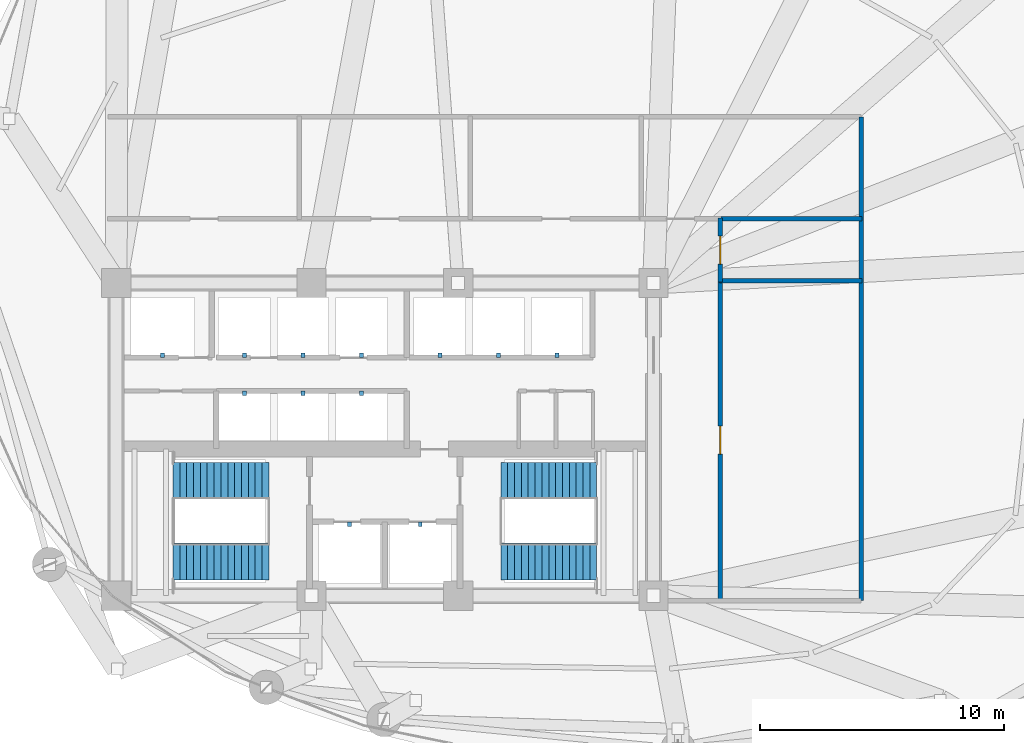
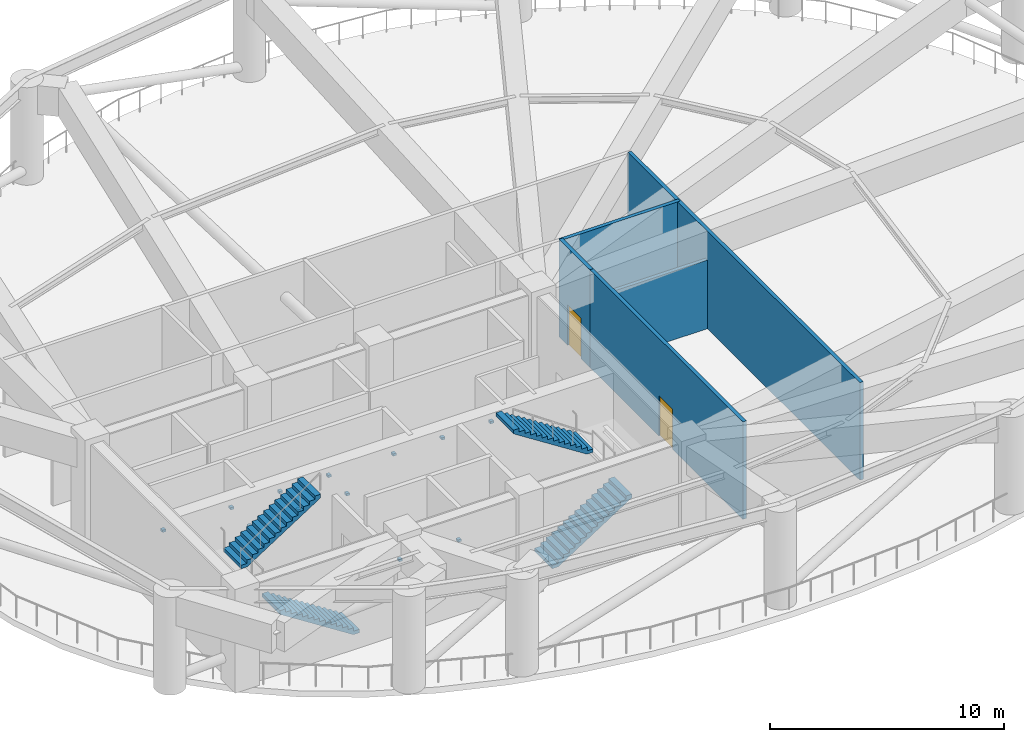
# One storey, part 7 of 9: 12 discrete accessories, 5 walls, 4 stair flights, 2 doors, 2 openings, 2 elements without a shape of their own.
"""IFC4 building model written with IfcOpenShell, lengths in metres."""

import ifcopenshell
import ifcopenshell.guid

model = None  # the IFC model being written
_history = None  # IfcOwnerHistory: only IFC2X3 demands one
_inside = {}  # id of a spatial element -> (the spatial element, [elements in it])
_under = {}  # id of a project, library or spatial element -> (it, [spatial elements below it])
_declared = {}  # id of a project -> (the project, [libraries it declares])
_typed = {}  # id of a type object -> (the type object, [elements of that type])
_made_of = {}  # id of a material, layer set ... -> (it, [elements and type objects made of it])


def new_model(schema):
    """Start an empty IFC model of exactly this schema.

    Asked for "IFC4X3", IfcOpenShell would pick the latest addendum, in which some entities
    have other attributes; the version numbers below select the first issue.
    IFC2X3 requires an IfcOwnerHistory on every rooted entity: one is made here for all.
    """
    global model, _history
    if schema == "IFC4X3":
        model = ifcopenshell.file(schema_version=(4, 3, 0, 0))
    else:
        model = ifcopenshell.file(schema=schema)
    _inside.clear()
    _under.clear()
    _declared.clear()
    _typed.clear()
    _made_of.clear()
    _history = None
    if model.schema == "IFC2X3":
        org = make("IfcOrganization", Name="unknown")
        user = make(
            "IfcPersonAndOrganization",
            ThePerson=make("IfcPerson", FamilyName="unknown"),
            TheOrganization=org,
        )
        app = make(
            "IfcApplication",
            ApplicationDeveloper=org,
            Version="unknown",
            ApplicationFullName="unknown",
            ApplicationIdentifier="unknown",
        )
        _history = make(
            "IfcOwnerHistory",
            OwningUser=user,
            OwningApplication=app,
            ChangeAction="ADDED",
            CreationDate=0,
        )
    return model


def make(cls, **values):
    """One entity of the class cls with the attributes given. An attribute that is None is left unset."""
    return model.create_entity(
        cls, **{name: value for name, value in values.items() if value is not None}
    )


def rooted(cls, **values):
    """An entity with a GlobalId (a new one), such as an element, a storey or a relation."""
    return make(cls, GlobalId=ifcopenshell.guid.new(), OwnerHistory=_history, **values)


def si_unit(unit_type, name, prefix=None):
    """IfcSIUnit, for example si_unit("LENGTHUNIT", "METRE", prefix="MILLI")."""
    return make("IfcSIUnit", UnitType=unit_type, Prefix=prefix, Name=name)


def assignment(units):
    """IfcUnitAssignment: the units of a project."""
    return None if units is None else make("IfcUnitAssignment", Units=units)


def point(xyz):
    """IfcCartesianPoint."""
    return None if xyz is None else make("IfcCartesianPoint", Coordinates=xyz)


def direction(xyz):
    """IfcDirection."""
    return None if xyz is None else make("IfcDirection", DirectionRatios=xyz)


def frame(location, z_axis=None, x_axis=None):
    """IfcAxis2Placement3D, a coordinate frame: its origin and axes. An axis left out is left unset."""
    return make(
        "IfcAxis2Placement3D",
        Location=point(location),
        Axis=direction(z_axis),
        RefDirection=direction(x_axis),
    )


def frame_2d(location, x_axis=None):
    """IfcAxis2Placement2D, a coordinate frame in the plane: its origin and x axis."""
    return make(
        "IfcAxis2Placement2D", Location=point(location), RefDirection=direction(x_axis)
    )


def origin():
    """The frame at (0, 0, 0) with its axes left unset."""
    return frame((0.0, 0.0, 0.0))


def origin_2d():
    """The frame at (0, 0) in the plane with its x axis left unset."""
    return frame_2d((0.0, 0.0))


def place(relative_to, where):
    """IfcLocalPlacement: puts the frame where relative to a parent placement (None: the world)."""
    return make(
        "IfcLocalPlacement", PlacementRelTo=relative_to, RelativePlacement=where
    )


def context(
    kind, dimensions, precision=None, world=None, true_north=None, identifier=None
):
    """IfcGeometricRepresentationContext, for example the 3D "Model" context."""
    return make(
        "IfcGeometricRepresentationContext",
        ContextIdentifier=identifier,
        ContextType=kind,
        CoordinateSpaceDimension=dimensions,
        Precision=precision,
        WorldCoordinateSystem=world,
        TrueNorth=true_north,
    )


def subcontext(parent, identifier, kind, view, scale=None):
    """IfcGeometricRepresentationSubContext, for example "Body" below "Model"."""
    return make(
        "IfcGeometricRepresentationSubContext",
        ContextIdentifier=identifier,
        ContextType=kind,
        ParentContext=parent,
        TargetScale=scale,
        TargetView=view,
    )


def project(units=None, contexts=None):
    """IfcProject with its units and contexts."""
    return rooted(
        "IfcProject",
        Name="project",
        RepresentationContexts=contexts,
        UnitsInContext=assignment(units),
    )


def spatial(cls, under=None, at=None, **own):
    """A site, building, storey or space (cls), placed at a placement, below another one or the project."""
    s = rooted(cls, ObjectPlacement=at, **own)
    if under is not None:
        _under.setdefault(under.id(), (under, []))[1].append(s)
    return s


def polyline(points):
    """IfcPolyline through the points."""
    return make("IfcPolyline", Points=[point(p) for p in points])


def profile(cls, at=None, kind="AREA", **sizes):
    """A parametric profile (cls). Its sizes go by their IFC names, for example OverallWidth=200.0."""
    return make(cls, ProfileType=kind, Position=at, **sizes)


def rectangle(**sizes):
    """IfcRectangleProfileDef."""
    return profile("IfcRectangleProfileDef", **sizes)


def outline(outer, holes=None, kind="AREA"):
    """IfcArbitraryClosedProfileDef: a profile drawn as a closed curve; with holes, ...WithVoids."""
    if holes is None:
        return make("IfcArbitraryClosedProfileDef", ProfileType=kind, OuterCurve=outer)
    return make(
        "IfcArbitraryProfileDefWithVoids",
        ProfileType=kind,
        OuterCurve=outer,
        InnerCurves=holes,
    )


def extrude(swept, where, along, depth):
    """IfcExtrudedAreaSolid: the profile swept, set in the frame where, extruded along a direction by depth."""
    return make(
        "IfcExtrudedAreaSolid",
        SweptArea=swept,
        Position=where,
        ExtrudedDirection=direction(along),
        Depth=depth,
    )


def shape(context_of_items, identifier, shape_type, items):
    """IfcShapeRepresentation: the items that make up one representation, for example the "Body"."""
    return make(
        "IfcShapeRepresentation",
        ContextOfItems=context_of_items,
        RepresentationIdentifier=identifier,
        RepresentationType=shape_type,
        Items=items,
    )


def material(Name=None, Category=None):
    """IfcMaterial."""
    return make("IfcMaterial", Name=Name, Category=Category)


def layer(
    of_material, thickness, ventilated=None, Name=None, Category=None, Priority=None
):
    """IfcMaterialLayer: one layer of a wall or slab, of a material (None: an air gap)."""
    return make(
        "IfcMaterialLayer",
        Material=of_material,
        LayerThickness=thickness,
        IsVentilated=ventilated,
        Name=Name,
        Category=Category,
        Priority=Priority,
    )


def layer_set(layers, Name=None):
    """IfcMaterialLayerSet."""
    return make("IfcMaterialLayerSet", MaterialLayers=layers, LayerSetName=Name)


def made_of(thing, what):
    """Note that an element or type object is made of a material, layer set ...; save() writes the relation."""
    if what is not None:
        _made_of.setdefault(what.id(), (what, []))[1].append(thing)
    return thing


def type_object(cls, material=None, **own):
    """A type object (cls), such as IfcWallType, which elements share."""
    return made_of(rooted(cls, **own), material)


def element(
    cls,
    number,
    at=None,
    inside=None,
    cuts=None,
    type_object=None,
    material=None,
    context=None,
    identifier="Body",
    shape_type=None,
    held_by="IfcProductDefinitionShape",
    body=None,
    shapes=None,
    **own,
):
    """One element of the class cls, such as IfcWall. Its Tag is "e" and its number.

    at: its placement. inside: the storey or other place that contains it. cuts: it is an
    opening in that element (IfcRelVoidsElement). A single representation is given by context,
    identifier, shape_type and body (its items); several are given by shapes. held_by: the class
    of the entity that holds the representations. save() writes the other relations.
    """
    e = rooted(cls, Tag="e%d" % number, ObjectPlacement=at, **own)
    if body is not None:
        shapes = [shape(context, identifier, shape_type, body)]
    if shapes is not None:
        e.Representation = make(held_by, Representations=shapes)
    if inside is not None:
        _inside.setdefault(inside.id(), (inside, []))[1].append(e)
    if cuts is not None:
        rooted(
            "IfcRelVoidsElement", RelatingBuildingElement=cuts, RelatedOpeningElement=e
        )
    if type_object is not None:
        _typed.setdefault(type_object.id(), (type_object, []))[1].append(e)
    return made_of(e, material)


def fill(opening, filler):
    """IfcRelFillsElement: the door or window that sits in an opening."""
    return rooted(
        "IfcRelFillsElement",
        RelatingOpeningElement=opening,
        RelatedBuildingElement=filler,
    )


def aggregate(whole, parts):
    """IfcRelAggregates: a whole, such as a stair, and the parts it consists of."""
    return rooted("IfcRelAggregates", RelatingObject=whole, RelatedObjects=parts)


def save(model, path):
    """Write the relations noted so far, then the file.

    IfcRelAggregates (storeys below a building ...), IfcRelContainedInSpatialStructure (elements
    in a storey), IfcRelDefinesByType, IfcRelAssociatesMaterial and IfcRelDeclares: one each for
    every whole, place, type object, material and project.
    """
    for whole, parts in _under.values():
        aggregate(whole, parts)
    for where, things in _inside.values():
        rooted(
            "IfcRelContainedInSpatialStructure",
            RelatedElements=things,
            RelatingStructure=where,
        )
    for kind, things in _typed.values():
        rooted("IfcRelDefinesByType", RelatedObjects=things, RelatingType=kind)
    for what, things in _made_of.values():
        rooted("IfcRelAssociatesMaterial", RelatedObjects=things, RelatingMaterial=what)
    for by, libraries in _declared.values():
        rooted("IfcRelDeclares", RelatingContext=by, RelatedDefinitions=libraries)
    model.write(path)


model = new_model("IFC4")

# Units and contexts
model_context = context("Model", 3, precision=1e-05, world=origin(), true_north=direction((0.0, 1.0)))
body_context = subcontext(model_context, "Body", "Model", "MODEL_VIEW")
ifc_project = project(units=[si_unit("LENGTHUNIT", "METRE"), si_unit("AREAUNIT", "SQUARE_METRE"), si_unit("VOLUMEUNIT", "CUBIC_METRE"), si_unit("PLANEANGLEUNIT", "RADIAN"), si_unit("MASSUNIT", "GRAM", prefix="KILO")], contexts=[model_context])

# Site, building, storey
site_placement = place(None, origin())
site = spatial("IfcSite", under=ifc_project, at=site_placement, CompositionType="ELEMENT")
building_placement = place(site_placement, origin())
building = spatial("IfcBuilding", under=site, at=building_placement, Name="Kazevale Care Tower and Concert Hall", CompositionType="ELEMENT")
storey_placement = place(building_placement, frame((0.0, 0.0, 92.39990234375)))
storey = spatial("IfcBuildingStorey", under=building, at=storey_placement, Name="L24", CompositionType="ELEMENT", Elevation=92.39990234375)

# Wall
ifc_material_1 = material(Name="Concrete C40 and Acoustic Gypsum", Category="concrete")
ifc_layer_1 = layer(ifc_material_1, 0.179931640625)
ifc_layer_set_1 = layer_set([ifc_layer_1], Name="Concrete C40 and Acoustic Gypsum")
wall_type = type_object("IfcWallType", Name="Fire-Rated Corridor & Party Wall 180", PredefinedType="PARTITIONING", material=ifc_layer_set_1)
wall_1_placement = place(storey_placement, frame((52.5, 23.39990234375, 0.0), z_axis=(0.0, 0.0, 1.0), x_axis=(0.0, 1.0, 0.0)))
element("IfcWall", 1, at=wall_1_placement, inside=storey, type_object=wall_type, Name="wall:L24:wf_enc_e", PredefinedType="PARTITIONING", context=body_context, shape_type="SweptSolid", body=[
    extrude(rectangle(XDim=19.800048828125, YDim=0.179931640625, at=frame_2d((9.89990234375, 0.0))), origin(), (0.0, 0.0, 1.0), 5.080078125),
])

# Wall, opening, door
wall_2_placement = place(storey_placement, frame((46.72509765625, 36.56494140625, 0.0), z_axis=(0.0, 0.0, 1.0), x_axis=(0.0, -1.0, 0.0)))
wall_2 = element("IfcWall", 2, at=wall_2_placement, inside=storey, type_object=wall_type, Name="wall:L24:auto_002", PredefinedType="PARTITIONING", context=body_context, shape_type="SweptSolid", body=[
    extrude(rectangle(XDim=13.19482421875, YDim=0.179931640625, at=frame_2d((6.597412109375, 0.0))), origin(), (0.0, 0.0, 1.0), 5.080078125),
])
opening_1_placement = place(wall_2_placement, frame((6.02197265625, 0.0, 0.0)))
opening_1 = element("IfcOpeningElement", 3, at=opening_1_placement, cuts=wall_2, Name="Opening FD-90", PredefinedType="OPENING", context=body_context, shape_type="SweptSolid", body=[
    extrude(rectangle(XDim=1.14990234375, YDim=2.10009765625, at=frame_2d((0.574951171875, 1.050048828125))), frame((0.0, 0.099853515625, 0.0), z_axis=(0.0, -1.0, 0.0), x_axis=(1.0, 0.0, 0.0)), (0.0, 0.0, 1.0), 0.199951171875),
])
ifc_material_2 = material(Name="Steel ASTM A572 Gr 50", Category="steel")
door_type = type_object("IfcDoorType", Name="Pressurized Stair & Lobby Fire Door 1150x2100", OperationType="NOTDEFINED", PredefinedType="DOOR", material=ifc_material_2)
door_1_placement = place(opening_1_placement, origin())
door_1 = element("IfcDoor", 4, at=door_1_placement, inside=storey, type_object=door_type, Name="door:L24:ad_002", OperationType="SINGLE_SWING_LEFT", OverallHeight=2.10009765625, OverallWidth=1.14990234375, PredefinedType="DOOR", context=body_context, shape_type="SweptSolid", body=[
    extrude(rectangle(XDim=1.14990234375, YDim=2.10009765625, at=frame_2d((0.574951171875, 1.050048828125))), frame((0.0, 0.02490234375, 0.0), z_axis=(0.0, -1.0, 0.0), x_axis=(1.0, 0.0, 0.0)), (0.0, 0.0, 1.0), 0.050048828125),
])
fill(opening_1, door_1)

wall_3_placement = place(storey_placement, frame((46.72509765625, 39.054931640625, 0.0), z_axis=(0.0, 0.0, 1.0), x_axis=(0.0, -1.0, 0.0)))
wall_3 = element("IfcWall", 5, at=wall_3_placement, inside=storey, type_object=wall_type, Name="wall:L24:auto_006", PredefinedType="PARTITIONING", context=body_context, shape_type="SweptSolid", body=[
    extrude(rectangle(XDim=2.619873046875, YDim=0.179931640625, at=frame_2d((1.31005859375, 0.0))), origin(), (0.0, 0.0, 1.0), 5.080078125),
])
opening_2_placement = place(wall_3_placement, frame((0.735107421875, 0.0, 0.0)))
opening_2 = element("IfcOpeningElement", 6, at=opening_2_placement, cuts=wall_3, Name="Opening FD-90", PredefinedType="OPENING", context=body_context, shape_type="SweptSolid", body=[
    extrude(rectangle(XDim=1.14990234375, YDim=2.10009765625, at=frame_2d((0.574951171875, 1.050048828125))), frame((0.0, 0.099853515625, 0.0), z_axis=(0.0, -1.0, 0.0), x_axis=(1.0, 0.0, 0.0)), (0.0, 0.0, 1.0), 0.199951171875),
])
door_2_placement = place(opening_2_placement, origin())
door_2 = element("IfcDoor", 7, at=door_2_placement, inside=storey, type_object=door_type, Name="door:L24:ad_006", OperationType="SINGLE_SWING_LEFT", OverallHeight=2.10009765625, OverallWidth=1.14990234375, PredefinedType="DOOR", context=body_context, shape_type="SweptSolid", body=[
    extrude(rectangle(XDim=1.14990234375, YDim=2.10009765625, at=frame_2d((0.574951171875, 1.050048828125))), frame((0.0, 0.02490234375, 0.0), z_axis=(0.0, -1.0, 0.0), x_axis=(1.0, 0.0, 0.0)), (0.0, 0.0, 1.0), 0.050048828125),
])
fill(opening_2, door_2)

# Walls
wall_4_placement = place(storey_placement, frame((46.695068359375, 36.5, 0.0), z_axis=(0.0, 0.0, 1.0), x_axis=(1.0, 0.0, 0.0)))
element("IfcWall", 8, at=wall_4_placement, inside=storey, type_object=wall_type, Name="wall:L24:auto_008", PredefinedType="PARTITIONING", context=body_context, shape_type="SweptSolid", body=[
    extrude(rectangle(XDim=5.8349609375, YDim=0.179931640625, at=frame_2d((2.91748046875, 0.0))), origin(), (0.0, 0.0, 1.0), 3.570068359375),
])
wall_5_placement = place(storey_placement, frame((52.530029296875, 39.02490234375, 0.0), z_axis=(0.0, 0.0, 1.0), x_axis=(-1.0, 0.0, 0.0)))
element("IfcWall", 9, at=wall_5_placement, inside=storey, type_object=wall_type, Name="wall:L24:auto_011", PredefinedType="PARTITIONING", context=body_context, shape_type="SweptSolid", body=[
    extrude(rectangle(XDim=5.8701171875, YDim=0.179931640625, at=frame_2d((2.93505859375, 0.0))), origin(), (0.0, 0.0, 1.0), 5.080078125),
])

# Stair, stair flights
ifc_material_3 = material(Name="Concrete C40", Category="concrete")
stair_type = type_object("IfcStairType", Name="Exit Stair Assembly ST1-W", PredefinedType="HALF_TURN_STAIR", material=ifc_material_3)
stair_1_placement = place(storey_placement, origin())
stair_1 = element("IfcStair", 10, at=stair_1_placement, inside=storey, type_object=stair_type, Name="stair:L24:ST1", PredefinedType="HALF_TURN_STAIR")
ifc_layer_2 = layer(ifc_material_3, 0.159912109375)
ifc_layer_set_2 = layer_set([ifc_layer_2], Name="Concrete C40")
stair_flight_type = type_object("IfcStairFlightType", Name="Exit Stair Flight ST1-W", PredefinedType="STRAIGHT", material=ifc_layer_set_2)
stair_flight_1_placement = place(storey_placement, frame((28.25, 25.0, 0.0), z_axis=(0.0, 0.0, 1.0), x_axis=(-1.0, 0.0, 0.0)))
stair_flight_1 = element("IfcStairFlight", 11, at=stair_flight_1_placement, type_object=stair_flight_type, Name="ST1-W flight 1", NumberOfRisers=15, NumberOfTreads=14, PredefinedType="STRAIGHT", RiserHeight=0.18, TreadLength=0.28, context=body_context, shape_type="SweptSolid", body=[
    extrude(outline(polyline([(0.0, 0.0), (0.0, 0.179931640625), (0.280029296875, 0.179931640625), (0.280029296875, 0.360107421875), (0.56005859375, 0.360107421875), (0.56005859375, 0.5400390625), (0.840087890625, 0.5400390625), (0.840087890625, 0.719970703125), (1.1201171875, 0.719970703125), (1.1201171875, 0.89990234375), (1.39990234375, 0.89990234375), (1.39990234375, 1.080078125), (1.679931640625, 1.080078125), (1.679931640625, 1.260009765625), (1.9599609375, 1.260009765625), (1.9599609375, 1.43994140625), (2.239990234375, 1.43994140625), (2.239990234375, 1.6201171875), (2.52001953125, 1.6201171875), (2.52001953125, 1.800048828125), (2.800048828125, 1.800048828125), (2.800048828125, 1.97998046875), (3.080078125, 1.97998046875), (3.080078125, 2.159912109375), (3.360107421875, 2.159912109375), (3.360107421875, 2.340087890625), (3.639892578125, 2.340087890625), (3.639892578125, 2.52001953125), (3.919921875, 2.52001953125), (3.919921875, 2.699951171875), (3.919921875, 2.329833984375), (0.295654296875, 0.0), (0.0, 0.0)])), frame((0.0, 0.75, 0.0), z_axis=(0.0, -1.0, 0.0), x_axis=(1.0, 0.0, 0.0)), (0.0, 0.0, 1.0), 1.5),
])
stair_flight_2_placement = place(storey_placement, frame((24.330078125, 28.300048828125, 2.7001953125), z_axis=(0.0, 0.0, 1.0), x_axis=(1.0, 0.0, 0.0)))
stair_flight_2 = element("IfcStairFlight", 12, at=stair_flight_2_placement, type_object=stair_flight_type, Name="ST1-W flight 2", NumberOfRisers=15, NumberOfTreads=14, PredefinedType="STRAIGHT", RiserHeight=0.18, TreadLength=0.28, context=body_context, shape_type="SweptSolid", body=[
    extrude(outline(polyline([(0.0, 0.0), (0.0, 0.179931640625), (0.280029296875, 0.179931640625), (0.280029296875, 0.360107421875), (0.56005859375, 0.360107421875), (0.56005859375, 0.5400390625), (0.840087890625, 0.5400390625), (0.840087890625, 0.719970703125), (1.1201171875, 0.719970703125), (1.1201171875, 0.89990234375), (1.39990234375, 0.89990234375), (1.39990234375, 1.080078125), (1.679931640625, 1.080078125), (1.679931640625, 1.260009765625), (1.9599609375, 1.260009765625), (1.9599609375, 1.43994140625), (2.239990234375, 1.43994140625), (2.239990234375, 1.6201171875), (2.52001953125, 1.6201171875), (2.52001953125, 1.800048828125), (2.800048828125, 1.800048828125), (2.800048828125, 1.97998046875), (3.080078125, 1.97998046875), (3.080078125, 2.159912109375), (3.360107421875, 2.159912109375), (3.360107421875, 2.340087890625), (3.639892578125, 2.340087890625), (3.639892578125, 2.52001953125), (3.919921875, 2.52001953125), (3.919921875, 2.699951171875), (3.919921875, 2.329833984375), (0.295654296875, 0.0), (0.0, 0.0)])), frame((0.0, 0.75, 0.0), z_axis=(0.0, -1.0, 0.0), x_axis=(1.0, 0.0, 0.0)), (0.0, 0.0, 1.0), 1.5),
])
aggregate(stair_1, [stair_flight_1, stair_flight_2])

stair_2_placement = place(storey_placement, origin())
stair_2 = element("IfcStair", 13, at=stair_2_placement, inside=storey, type_object=stair_type, Name="stair:L24:ST2", PredefinedType="HALF_TURN_STAIR")
stair_flight_3_placement = place(storey_placement, frame((37.75, 25.0, 0.0), z_axis=(0.0, 0.0, 1.0), x_axis=(1.0, 0.0, 0.0)))
stair_flight_3 = element("IfcStairFlight", 14, at=stair_flight_3_placement, type_object=stair_flight_type, Name="ST1-W flight 1", NumberOfRisers=15, NumberOfTreads=14, PredefinedType="STRAIGHT", RiserHeight=0.18, TreadLength=0.28, context=body_context, shape_type="SweptSolid", body=[
    extrude(outline(polyline([(0.0, 0.0), (0.0, 0.179931640625), (0.280029296875, 0.179931640625), (0.280029296875, 0.360107421875), (0.56005859375, 0.360107421875), (0.56005859375, 0.5400390625), (0.840087890625, 0.5400390625), (0.840087890625, 0.719970703125), (1.1201171875, 0.719970703125), (1.1201171875, 0.89990234375), (1.39990234375, 0.89990234375), (1.39990234375, 1.080078125), (1.679931640625, 1.080078125), (1.679931640625, 1.260009765625), (1.9599609375, 1.260009765625), (1.9599609375, 1.43994140625), (2.239990234375, 1.43994140625), (2.239990234375, 1.6201171875), (2.52001953125, 1.6201171875), (2.52001953125, 1.800048828125), (2.800048828125, 1.800048828125), (2.800048828125, 1.97998046875), (3.080078125, 1.97998046875), (3.080078125, 2.159912109375), (3.360107421875, 2.159912109375), (3.360107421875, 2.340087890625), (3.639892578125, 2.340087890625), (3.639892578125, 2.52001953125), (3.919921875, 2.52001953125), (3.919921875, 2.699951171875), (3.919921875, 2.329833984375), (0.295654296875, 0.0), (0.0, 0.0)])), frame((0.0, 0.75, 0.0), z_axis=(0.0, -1.0, 0.0), x_axis=(1.0, 0.0, 0.0)), (0.0, 0.0, 1.0), 1.5),
])
stair_flight_4_placement = place(storey_placement, frame((41.669921875, 28.300048828125, 2.7001953125), z_axis=(0.0, 0.0, 1.0), x_axis=(-1.0, 0.0, 0.0)))
stair_flight_4 = element("IfcStairFlight", 15, at=stair_flight_4_placement, type_object=stair_flight_type, Name="ST1-W flight 2", NumberOfRisers=15, NumberOfTreads=14, PredefinedType="STRAIGHT", RiserHeight=0.18, TreadLength=0.28, context=body_context, shape_type="SweptSolid", body=[
    extrude(outline(polyline([(0.0, 0.0), (0.0, 0.179931640625), (0.280029296875, 0.179931640625), (0.280029296875, 0.360107421875), (0.56005859375, 0.360107421875), (0.56005859375, 0.5400390625), (0.840087890625, 0.5400390625), (0.840087890625, 0.719970703125), (1.1201171875, 0.719970703125), (1.1201171875, 0.89990234375), (1.39990234375, 0.89990234375), (1.39990234375, 1.080078125), (1.679931640625, 1.080078125), (1.679931640625, 1.260009765625), (1.9599609375, 1.260009765625), (1.9599609375, 1.43994140625), (2.239990234375, 1.43994140625), (2.239990234375, 1.6201171875), (2.52001953125, 1.6201171875), (2.52001953125, 1.800048828125), (2.800048828125, 1.800048828125), (2.800048828125, 1.97998046875), (3.080078125, 1.97998046875), (3.080078125, 2.159912109375), (3.360107421875, 2.159912109375), (3.360107421875, 2.340087890625), (3.639892578125, 2.340087890625), (3.639892578125, 2.52001953125), (3.919921875, 2.52001953125), (3.919921875, 2.699951171875), (3.919921875, 2.329833984375), (0.295654296875, 0.0), (0.0, 0.0)])), frame((0.0, 0.75, 0.0), z_axis=(0.0, -1.0, 0.0), x_axis=(1.0, 0.0, 0.0)), (0.0, 0.0, 1.0), 1.5),
])
aggregate(stair_2, [stair_flight_3, stair_flight_4])

# Discrete accessories
ifc_material_4 = material(Name="Stainless Steel 316", Category="steel")
discrete_accessory_type = type_object("IfcDiscreteAccessoryType", Name="Hoistway Guide-Rail Wall Bracket HBRK-1", PredefinedType="BRACKET", material=ifc_material_4)
for number, where, z_axis, x_axis, name in (
    (16, (31.550048828125, 26.52001953125, 1.239990234375), (0.0, 0.0, 1.0), (1.0, 0.0, 0.0), "hbrk:FFL-1:L24"),
    (17, (34.449951171875, 26.52001953125, 1.239990234375), (0.0, 0.0, 1.0), (1.0, 0.0, 0.0), "hbrk:FFL-2:L24"),
    (18, (23.89990234375, 33.449951171875, 1.239990234375), (0.0, 0.0, 1.0), (1.0, 0.0, 0.0), "hbrk:SVL-1:L24"),
    (19, (27.25, 33.449951171875, 1.239990234375), (0.0, 0.0, 1.0), (1.0, 0.0, 0.0), "hbrk:PL-1:L24"),
    (20, (29.64990234375, 33.449951171875, 1.239990234375), (0.0, 0.0, 1.0), (1.0, 0.0, 0.0), "hbrk:PL-2:L24"),
    (21, (32.050048828125, 33.449951171875, 1.239990234375), (0.0, 0.0, 1.0), (1.0, 0.0, 0.0), "hbrk:PL-3:L24"),
    (22, (35.25, 33.449951171875, 1.239990234375), (0.0, 0.0, 1.0), (1.0, 0.0, 0.0), "hbrk:PM-1:L24"),
    (23, (37.64990234375, 33.449951171875, 1.239990234375), (0.0, 0.0, 1.0), (1.0, 0.0, 0.0), "hbrk:PM-2:L24"),
    (24, (40.050048828125, 33.449951171875, 1.239990234375), (0.0, 0.0, 1.0), (1.0, 0.0, 0.0), "hbrk:PM-3:L24"),
    (25, (27.25, 31.8798828125, 1.239990234375), (0.0, 0.0, 1.0), (1.0, 0.0, 0.0), "hbrk:PH-1:L24"),
    (26, (29.64990234375, 31.8798828125, 1.239990234375), (0.0, 0.0, 1.0), (1.0, 0.0, 0.0), "hbrk:PH-2:L24"),
    (27, (32.050048828125, 31.8798828125, 1.239990234375), (0.0, 0.0, 1.0), (1.0, 0.0, 0.0), "hbrk:PH-3:L24"),
):
    element("IfcDiscreteAccessory", number, at=place(storey_placement, frame(where, z_axis=z_axis, x_axis=x_axis)), inside=storey, type_object=discrete_accessory_type, Name=name, PredefinedType="BRACKET", context=body_context, shape_type="SweptSolid", body=[
        extrude(rectangle(XDim=0.159912109375, YDim=0.179931640625, at=origin_2d()), origin(), (0.0, 0.0, 1.0), 0.1201171875),
    ])

save(model, "model.ifc")
